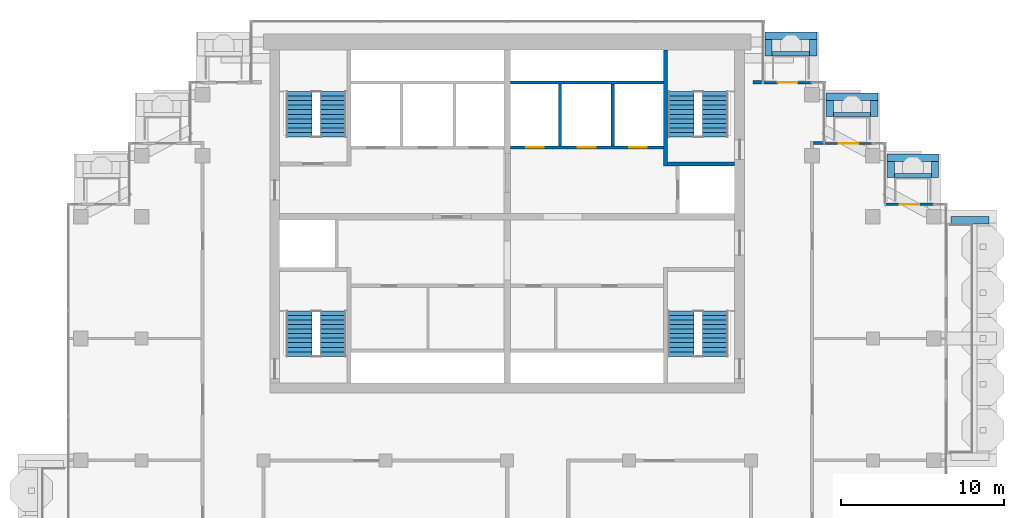
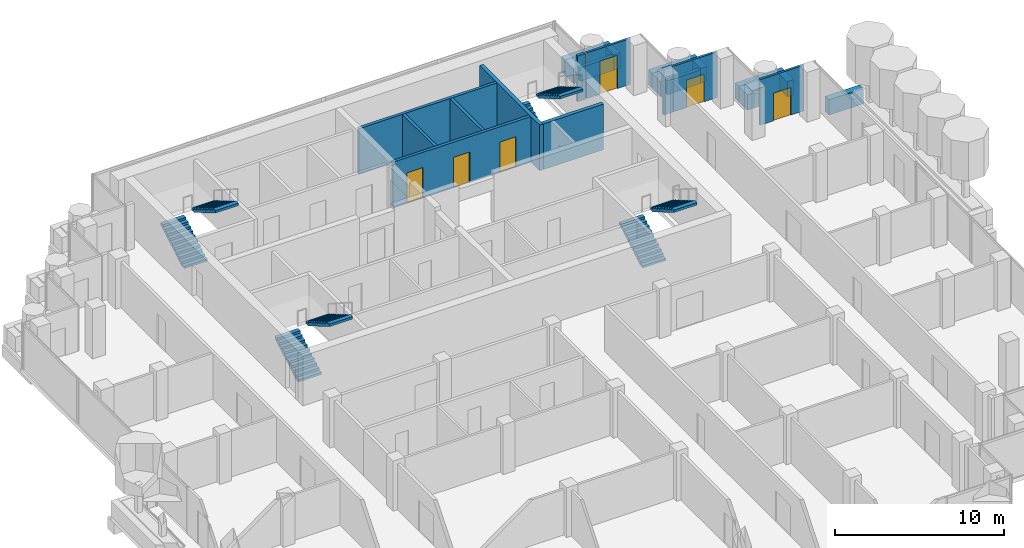
# One storey, part 14 of 18: 24 walls, 8 stair flights, 6 doors, 6 openings, 4 elements without a shape of their own.
"""IFC4 building model written with IfcOpenShell, lengths in metres."""

from ifc_helpers import new_model, si_unit, direction, frame, frame_2d, origin, place, context, subcontext, project, spatial, polyline, rectangle, outline, extrude, material, layer, layer_set, type_object, element, fill, aggregate, save


model = new_model("IFC4")

# Units and contexts
model_context = context("Model", 3, precision=1e-05, world=origin(), true_north=direction((0.0, 1.0)))
body_context = subcontext(model_context, "Body", "Model", "MODEL_VIEW")
ifc_project = project(units=[si_unit("LENGTHUNIT", "METRE"), si_unit("AREAUNIT", "SQUARE_METRE"), si_unit("VOLUMEUNIT", "CUBIC_METRE"), si_unit("PLANEANGLEUNIT", "RADIAN"), si_unit("MASSUNIT", "GRAM", prefix="KILO")], contexts=[model_context])

# Site, building, storey
site_placement = place(None, origin())
site = spatial("IfcSite", under=ifc_project, at=site_placement, CompositionType="ELEMENT")
building_placement = place(site_placement, origin())
building = spatial("IfcBuilding", under=site, at=building_placement, Name="Pilkhan Gate Tower", CompositionType="ELEMENT")
storey_placement = place(building_placement, frame((0.0, 0.0, 231.89990234375)))
storey = spatial("IfcBuildingStorey", under=building, at=storey_placement, Name="L60", CompositionType="ELEMENT", Elevation=231.89990234375)

# Walls
ifc_material_1 = material(Name="Concrete C40/50", Category="concrete")
ifc_layer_1 = layer(ifc_material_1, 0.25)
ifc_layer_set_1 = layer_set([ifc_layer_1], Name="Balcony planter BP250")
wall_type_1 = type_object("IfcWallType", Name="Balcony planter BP250", PredefinedType="USERDEFINED", material=ifc_layer_set_1)
wall_1_placement = place(storey_placement, frame((91.300048828125, 92.52490234375, 0.0), z_axis=(0.0, 0.0, 1.0), x_axis=(1.0, 0.0, 0.0)))
element("IfcWall", 1, at=wall_1_placement, inside=storey, type_object=wall_type_1, Name="Balcony planter L60 N", ObjectType="BALCONY PLANTER", PredefinedType="USERDEFINED", context=body_context, shape_type="SweptSolid", body=[
    extrude(rectangle(XDim=2.300048828125, YDim=0.25, at=frame_2d((1.14990234375, 0.0))), origin(), (0.0, 0.0, 1.0), 1.0),
])
for number, where, z_axis, x_axis, name in (
    (2, (95.070068359375, 88.77490234375, 0.0), (0.0, 0.0, 1.0), (1.0, 0.0, 0.0), "Balcony planter L60 N"),
    (3, (98.820068359375, 85.02490234375, 0.0), (0.0, 0.0, 1.0), (1.0, 0.0, 0.0), "Balcony planter L60 N"),
):
    element("IfcWall", number, at=place(storey_placement, frame(where, z_axis=z_axis, x_axis=x_axis)), inside=storey, type_object=wall_type_1, Name=name, ObjectType="BALCONY PLANTER", PredefinedType="USERDEFINED", context=body_context, shape_type="SweptSolid", body=[
        extrude(rectangle(XDim=2.280029296875, YDim=0.25, at=frame_2d((1.14013671875, 0.0))), origin(), (0.0, 0.0, 1.0), 1.0),
    ])
ifc_material_2 = material(Name="Board-marked Concrete C40/50", Category="concrete")
ifc_layer_2 = layer(ifc_material_2, 0.449951171875)
ifc_layer_set_2 = layer_set([ifc_layer_2], Name="Balcony planter lip BL450")
wall_type_2 = type_object("IfcWallType", Name="Balcony planter lip BL450", PredefinedType="USERDEFINED", material=ifc_layer_set_2)
wall_2_placement = place(storey_placement, frame((102.300048828125, 82.27490234375, 0.0), z_axis=(0.0, 0.0, 1.0), x_axis=(1.0, 0.0, 0.0)))
element("IfcWall", 4, at=wall_2_placement, inside=storey, type_object=wall_type_2, Name="Balcony planter L60 E", ObjectType="BALCONY PLANTER", PredefinedType="USERDEFINED", context=body_context, shape_type="SweptSolid", body=[
    extrude(rectangle(XDim=2.349853515625, YDim=0.449951171875, at=frame_2d((1.1748046875, 0.0))), origin(), (0.0, 0.0, 1.0), 1.10009765625),
])
wall_3_placement = place(storey_placement, frame((90.85009765625, 93.625, 0.0), z_axis=(0.0, 0.0, 1.0), x_axis=(1.0, 0.0, 0.0)))
element("IfcWall", 5, at=wall_3_placement, inside=storey, type_object=wall_type_2, Name="Balcony planter L60 N", ObjectType="BALCONY PLANTER", PredefinedType="USERDEFINED", context=body_context, shape_type="SweptSolid", body=[
    extrude(rectangle(XDim=3.199951171875, YDim=0.449951171875, at=frame_2d((1.60009765625, 0.0))), origin(), (0.0, 0.0, 1.0), 1.10009765625),
])
for number, where, z_axis, x_axis, name in (
    (6, (91.074951171875, 92.39990234375, 0.0), (0.0, 0.0, 1.0), (0.0, 1.0, 0.0), "Balcony planter L60 N"),
    (7, (93.824951171875, 92.39990234375, 0.0), (0.0, 0.0, 1.0), (0.0, 1.0, 0.0), "Balcony planter L60 N"),
):
    element("IfcWall", number, at=place(storey_placement, frame(where, z_axis=z_axis, x_axis=x_axis)), inside=storey, type_object=wall_type_2, Name=name, ObjectType="BALCONY PLANTER", PredefinedType="USERDEFINED", context=body_context, shape_type="SweptSolid", body=[
        extrude(rectangle(XDim=1.0, YDim=0.449951171875, at=frame_2d((0.5, 0.0))), origin(), (0.0, 0.0, 1.0), 1.10009765625),
    ])
wall_4_placement = place(storey_placement, frame((94.6201171875, 89.875, 0.0), z_axis=(0.0, 0.0, 1.0), x_axis=(1.0, 0.0, 0.0)))
element("IfcWall", 8, at=wall_4_placement, inside=storey, type_object=wall_type_2, Name="Balcony planter L60 N", ObjectType="BALCONY PLANTER", PredefinedType="USERDEFINED", context=body_context, shape_type="SweptSolid", body=[
    extrude(rectangle(XDim=3.179931640625, YDim=0.449951171875, at=frame_2d((1.58984375, 0.0))), origin(), (0.0, 0.0, 1.0), 1.10009765625),
])
for number, where, z_axis, x_axis, name in (
    (9, (94.844970703125, 88.64990234375, 0.0), (0.0, 0.0, 1.0), (0.0, 1.0, 0.0), "Balcony planter L60 N"),
    (10, (97.574951171875, 88.64990234375, 0.0), (0.0, 0.0, 1.0), (0.0, 1.0, 0.0), "Balcony planter L60 N"),
):
    element("IfcWall", number, at=place(storey_placement, frame(where, z_axis=z_axis, x_axis=x_axis)), inside=storey, type_object=wall_type_2, Name=name, ObjectType="BALCONY PLANTER", PredefinedType="USERDEFINED", context=body_context, shape_type="SweptSolid", body=[
        extrude(rectangle(XDim=1.0, YDim=0.449951171875, at=frame_2d((0.5, 0.0))), origin(), (0.0, 0.0, 1.0), 1.10009765625),
    ])
wall_5_placement = place(storey_placement, frame((98.3701171875, 86.125, 0.0), z_axis=(0.0, 0.0, 1.0), x_axis=(1.0, 0.0, 0.0)))
element("IfcWall", 11, at=wall_5_placement, inside=storey, type_object=wall_type_2, Name="Balcony planter L60 N", ObjectType="BALCONY PLANTER", PredefinedType="USERDEFINED", context=body_context, shape_type="SweptSolid", body=[
    extrude(rectangle(XDim=3.179931640625, YDim=0.449951171875, at=frame_2d((1.58984375, 0.0))), origin(), (0.0, 0.0, 1.0), 1.10009765625),
])
for number, where, z_axis, x_axis, name in (
    (12, (98.594970703125, 84.89990234375, 0.0), (0.0, 0.0, 1.0), (0.0, 1.0, 0.0), "Balcony planter L60 N"),
    (13, (101.324951171875, 84.89990234375, 0.0), (0.0, 0.0, 1.0), (0.0, 1.0, 0.0), "Balcony planter L60 N"),
):
    element("IfcWall", number, at=place(storey_placement, frame(where, z_axis=z_axis, x_axis=x_axis)), inside=storey, type_object=wall_type_2, Name=name, ObjectType="BALCONY PLANTER", PredefinedType="USERDEFINED", context=body_context, shape_type="SweptSolid", body=[
        extrude(rectangle(XDim=1.0, YDim=0.449951171875, at=frame_2d((0.5, 0.0))), origin(), (0.0, 0.0, 1.0), 1.10009765625),
    ])
ifc_material_3 = material(Name="Dense blockwork", Category="masonry")
ifc_layer_3 = layer(ifc_material_3, 0.199951171875)
ifc_layer_set_3 = layer_set([ifc_layer_3], Name="Corridor wall FW200")
wall_type_3 = type_object("IfcWallType", Name="Corridor wall FW200", PredefinedType="PARTITIONING", material=ifc_layer_set_3)
wall_6_placement = place(storey_placement, frame((93.85009765625, 87.030029296875, 0.0), z_axis=(0.0, 0.0, 1.0), x_axis=(1.0, 0.0, 0.0)))
element("IfcWall", 14, at=wall_6_placement, inside=storey, type_object=wall_type_3, Name="Partition L60", PredefinedType="PARTITIONING", context=body_context, shape_type="SweptSolid", body=[
    extrude(rectangle(XDim=0.639892578125, YDim=0.199951171875, at=frame_2d((0.31982421875, 0.0))), origin(), (0.0, 0.0, 1.0), 3.300048828125),
])
wall_7_placement = place(storey_placement, frame((90.1201171875, 90.764892578125, 0.0), z_axis=(0.0, 0.0, 1.0), x_axis=(1.0, 0.0, 0.0)))
element("IfcWall", 15, at=wall_7_placement, inside=storey, type_object=wall_type_3, Name="Partition L60", PredefinedType="PARTITIONING", context=body_context, shape_type="SweptSolid", body=[
    extrude(rectangle(XDim=0.52490234375, YDim=0.199951171875, at=frame_2d((0.262451171875, 0.0))), origin(), (0.0, 0.0, 1.0), 3.300048828125),
])

# Wall, opening, door
ifc_material_4 = material(Name="Pale anodised aluminium, clear laminated glazing", Category="aluminium")
ifc_layer_4 = layer(ifc_material_4, 0.14990234375)
ifc_layer_set_4 = layer_set([ifc_layer_4], Name="Facade infill wall IW150")
wall_type_4 = type_object("IfcWallType", Name="Facade infill wall IW150", PredefinedType="SOLIDWALL", material=ifc_layer_set_4)
wall_8_placement = place(storey_placement, frame((98.25, 83.25, 0.0), z_axis=(0.0, 0.0, 1.0), x_axis=(1.0, 0.0, 0.0)))
wall_8 = element("IfcWall", 16, at=wall_8_placement, inside=storey, type_object=wall_type_4, Name="Infill wall L60 N", PredefinedType="SOLIDWALL", context=body_context, shape_type="SweptSolid", body=[
    extrude(rectangle(XDim=3.0, YDim=0.14990234375, at=frame_2d((1.5, 0.0))), origin(), (0.0, 0.0, 1.0), 3.300048828125),
])
opening_1_placement = place(wall_8_placement, frame((0.89990234375, 0.0, 0.0)))
opening_1 = element("IfcOpeningElement", 17, at=opening_1_placement, cuts=wall_8, Name="Opening D1L", PredefinedType="OPENING", context=body_context, shape_type="SweptSolid", body=[
    extrude(rectangle(XDim=1.199951171875, YDim=2.0, at=frame_2d((0.60009765625, 1.0))), frame((0.0, 0.0849609375, 0.0), z_axis=(0.0, -1.0, 0.0), x_axis=(1.0, 0.0, 0.0)), (0.0, 0.0, 1.0), 0.169921875),
])
ifc_material_5 = material(Name="Pale anodised aluminium, clear glazing", Category="aluminium")
door_type_1 = type_object("IfcDoorType", Name="Balcony door D1L 1200x2000", OperationType="SINGLE_SWING_LEFT", PredefinedType="DOOR", material=ifc_material_5)
door_1_placement = place(opening_1_placement, origin())
door_1 = element("IfcDoor", 18, at=door_1_placement, inside=storey, type_object=door_type_1, Name="Balcony door L60", OperationType="SINGLE_SWING_LEFT", OverallHeight=2.0, OverallWidth=1.199951171875, PredefinedType="DOOR", context=body_context, shape_type="SweptSolid", body=[
    extrude(rectangle(XDim=1.199951171875, YDim=2.0, at=frame_2d((0.60009765625, 1.0))), frame((0.0, 0.02490234375, 0.0), z_axis=(0.0, -1.0, 0.0), x_axis=(1.0, 0.0, 0.0)), (0.0, 0.0, 1.0), 0.050048828125),
])
fill(opening_1, door_1)

wall_9_placement = place(storey_placement, frame((94.5, 87.0, 0.0), z_axis=(0.0, 0.0, 1.0), x_axis=(1.0, 0.0, 0.0)))
wall_9 = element("IfcWall", 19, at=wall_9_placement, inside=storey, type_object=wall_type_4, Name="Infill wall L60 N", PredefinedType="SOLIDWALL", context=body_context, shape_type="SweptSolid", body=[
    extrude(rectangle(XDim=3.0, YDim=0.14990234375, at=frame_2d((1.5, 0.0))), origin(), (0.0, 0.0, 1.0), 3.300048828125),
])
opening_2_placement = place(wall_9_placement, frame((0.89990234375, 0.0, 0.0)))
opening_2 = element("IfcOpeningElement", 20, at=opening_2_placement, cuts=wall_9, Name="Opening D1L", PredefinedType="OPENING", context=body_context, shape_type="SweptSolid", body=[
    extrude(rectangle(XDim=1.199951171875, YDim=2.0, at=frame_2d((0.60009765625, 1.0))), frame((0.0, 0.0849609375, 0.0), z_axis=(0.0, -1.0, 0.0), x_axis=(1.0, 0.0, 0.0)), (0.0, 0.0, 1.0), 0.169921875),
])
door_2_placement = place(opening_2_placement, origin())
door_2 = element("IfcDoor", 21, at=door_2_placement, inside=storey, type_object=door_type_1, Name="Balcony door L60", OperationType="SINGLE_SWING_LEFT", OverallHeight=2.0, OverallWidth=1.199951171875, PredefinedType="DOOR", context=body_context, shape_type="SweptSolid", body=[
    extrude(rectangle(XDim=1.199951171875, YDim=2.0, at=frame_2d((0.60009765625, 1.0))), frame((0.0, 0.02490234375, 0.0), z_axis=(0.0, -1.0, 0.0), x_axis=(1.0, 0.0, 0.0)), (0.0, 0.0, 1.0), 0.050048828125),
])
fill(opening_2, door_2)

wall_10_placement = place(storey_placement, frame((90.75, 90.75, 0.0), z_axis=(0.0, 0.0, 1.0), x_axis=(1.0, 0.0, 0.0)))
wall_10 = element("IfcWall", 22, at=wall_10_placement, inside=storey, type_object=wall_type_4, Name="Infill wall L60 N", PredefinedType="SOLIDWALL", context=body_context, shape_type="SweptSolid", body=[
    extrude(rectangle(XDim=3.0, YDim=0.14990234375, at=frame_2d((1.5, 0.0))), origin(), (0.0, 0.0, 1.0), 3.300048828125),
])
opening_3_placement = place(wall_10_placement, frame((0.89990234375, 0.0, 0.0)))
opening_3 = element("IfcOpeningElement", 23, at=opening_3_placement, cuts=wall_10, Name="Opening D1", PredefinedType="OPENING", context=body_context, shape_type="SweptSolid", body=[
    extrude(rectangle(XDim=1.199951171875, YDim=2.39990234375, at=frame_2d((0.60009765625, 1.199951171875))), frame((0.0, 0.0849609375, 0.0), z_axis=(0.0, -1.0, 0.0), x_axis=(1.0, 0.0, 0.0)), (0.0, 0.0, 1.0), 0.169921875),
])
door_type_2 = type_object("IfcDoorType", Name="Balcony door D1 1200x2400", OperationType="SINGLE_SWING_LEFT", PredefinedType="DOOR", material=ifc_material_5)
door_3_placement = place(opening_3_placement, origin())
door_3 = element("IfcDoor", 24, at=door_3_placement, inside=storey, type_object=door_type_2, Name="Balcony door L60", OperationType="SINGLE_SWING_LEFT", OverallHeight=2.39990234375, OverallWidth=1.199951171875, PredefinedType="DOOR", context=body_context, shape_type="SweptSolid", body=[
    extrude(rectangle(XDim=1.199951171875, YDim=2.39990234375, at=frame_2d((0.60009765625, 1.199951171875))), frame((0.0, 0.02490234375, 0.0), z_axis=(0.0, -1.0, 0.0), x_axis=(1.0, 0.0, 0.0)), (0.0, 0.0, 1.0), 0.050048828125),
])
fill(opening_3, door_3)

# Wall, openings, doors
ifc_material_6 = material(Name="Reinforced blockwork shaft wall, 120 minute fire resisting", Category="masonry")
ifc_layer_5 = layer(ifc_material_6, 0.199951171875)
ifc_layer_set_5 = layer_set([ifc_layer_5], Name="Shaft wall SW200")
wall_type_5 = type_object("IfcWallType", Name="Shaft wall SW200", PredefinedType="PARTITIONING", material=ifc_layer_set_5)
wall_11_placement = place(storey_placement, frame((75.2099609375, 86.75, 0.0), z_axis=(0.0, 0.0, 1.0), x_axis=(1.0, 0.0, 0.0)))
wall_11 = element("IfcWall", 25, at=wall_11_placement, inside=storey, type_object=wall_type_5, Name="Partition L60", PredefinedType="PARTITIONING", context=body_context, shape_type="SweptSolid", body=[
    extrude(rectangle(XDim=9.4150390625, YDim=0.199951171875, at=frame_2d((4.70751953125, 0.0))), origin(), (0.0, 0.0, 1.0), 3.300048828125),
])
opening_4_placement = place(wall_11_placement, frame((0.949951171875, 0.0, 0.0)))
opening_4 = element("IfcOpeningElement", 26, at=opening_4_placement, cuts=wall_11, Name="Opening LD", PredefinedType="OPENING", context=body_context, shape_type="SweptSolid", body=[
    extrude(rectangle(XDim=1.10009765625, YDim=2.199951171875, at=frame_2d((0.550048828125, 1.10009765625))), frame((0.0, 0.10986328125, 0.0), z_axis=(0.0, -1.0, 0.0), x_axis=(1.0, 0.0, 0.0)), (0.0, 0.0, 1.0), 0.219970703125),
])
opening_5_placement = place(wall_11_placement, frame((4.139892578125, 0.0, 0.0)))
opening_5 = element("IfcOpeningElement", 27, at=opening_5_placement, cuts=wall_11, Name="Opening LD", PredefinedType="OPENING", context=body_context, shape_type="SweptSolid", body=[
    extrude(rectangle(XDim=1.10009765625, YDim=2.199951171875, at=frame_2d((0.550048828125, 1.10009765625))), frame((0.0, 0.10986328125, 0.0), z_axis=(0.0, -1.0, 0.0), x_axis=(1.0, 0.0, 0.0)), (0.0, 0.0, 1.0), 0.219970703125),
])
opening_6_placement = place(wall_11_placement, frame((7.2900390625, 0.0, 0.0)))
opening_6 = element("IfcOpeningElement", 28, at=opening_6_placement, cuts=wall_11, Name="Opening LD", PredefinedType="OPENING", context=body_context, shape_type="SweptSolid", body=[
    extrude(rectangle(XDim=1.10009765625, YDim=2.199951171875, at=frame_2d((0.550048828125, 1.10009765625))), frame((0.0, 0.10986328125, 0.0), z_axis=(0.0, -1.0, 0.0), x_axis=(1.0, 0.0, 0.0)), (0.0, 0.0, 1.0), 0.219970703125),
])
ifc_material_7 = material(Name="Stainless steel centre-opening landing door, 120 minute fire resisting", Category="steel")
door_type_3 = type_object("IfcDoorType", Name="Lift landing door LD 1100x2200", OperationType="DOUBLE_DOOR_SLIDING", PredefinedType="DOOR", material=ifc_material_7)
door_4_placement = place(opening_4_placement, origin())
door_4 = element("IfcDoor", 29, at=door_4_placement, inside=storey, type_object=door_type_3, Name="Landing door HR1", OperationType="DOUBLE_DOOR_SLIDING", OverallHeight=2.199951171875, OverallWidth=1.10009765625, PredefinedType="DOOR", context=body_context, shape_type="SweptSolid", body=[
    extrude(rectangle(XDim=1.10009765625, YDim=2.199951171875, at=frame_2d((0.550048828125, 1.10009765625))), frame((0.0, 0.02490234375, 0.0), z_axis=(0.0, -1.0, 0.0), x_axis=(1.0, 0.0, 0.0)), (0.0, 0.0, 1.0), 0.050048828125),
])
fill(opening_4, door_4)
door_5_placement = place(opening_5_placement, origin())
door_5 = element("IfcDoor", 30, at=door_5_placement, inside=storey, type_object=door_type_3, Name="Landing door HR2", OperationType="DOUBLE_DOOR_SLIDING", OverallHeight=2.199951171875, OverallWidth=1.10009765625, PredefinedType="DOOR", context=body_context, shape_type="SweptSolid", body=[
    extrude(rectangle(XDim=1.10009765625, YDim=2.199951171875, at=frame_2d((0.550048828125, 1.10009765625))), frame((0.0, 0.02490234375, 0.0), z_axis=(0.0, -1.0, 0.0), x_axis=(1.0, 0.0, 0.0)), (0.0, 0.0, 1.0), 0.050048828125),
])
fill(opening_5, door_5)
door_6_placement = place(opening_6_placement, origin())
door_6 = element("IfcDoor", 31, at=door_6_placement, inside=storey, type_object=door_type_3, Name="Landing door HR3", OperationType="DOUBLE_DOOR_SLIDING", OverallHeight=2.199951171875, OverallWidth=1.10009765625, PredefinedType="DOOR", context=body_context, shape_type="SweptSolid", body=[
    extrude(rectangle(XDim=1.10009765625, YDim=2.199951171875, at=frame_2d((0.550048828125, 1.10009765625))), frame((0.0, 0.02490234375, 0.0), z_axis=(0.0, -1.0, 0.0), x_axis=(1.0, 0.0, 0.0)), (0.0, 0.0, 1.0), 0.050048828125),
])
fill(opening_6, door_6)

# Walls
wall_12_placement = place(storey_placement, frame((75.2099609375, 90.75, 0.0), z_axis=(0.0, 0.0, 1.0), x_axis=(1.0, 0.0, 0.0)))
element("IfcWall", 32, at=wall_12_placement, inside=storey, type_object=wall_type_5, Name="Partition L60", PredefinedType="PARTITIONING", context=body_context, shape_type="SweptSolid", body=[
    extrude(rectangle(XDim=9.4150390625, YDim=0.199951171875, at=frame_2d((4.70751953125, 0.0))), origin(), (0.0, 0.0, 1.0), 3.300048828125),
])
for number, where, z_axis, x_axis, name in (
    (33, (78.25, 86.85009765625, 0.0), (0.0, 0.0, 1.0), (0.0, 1.0, 0.0), "Partition L60"),
    (34, (81.5, 86.85009765625, 0.0), (0.0, 0.0, 1.0), (0.0, 1.0, 0.0), "Partition L60"),
):
    element("IfcWall", number, at=place(storey_placement, frame(where, z_axis=z_axis, x_axis=x_axis)), inside=storey, type_object=wall_type_5, Name=name, PredefinedType="PARTITIONING", context=body_context, shape_type="SweptSolid", body=[
        extrude(rectangle(XDim=3.7998046875, YDim=0.199951171875, at=frame_2d((1.89990234375, 0.0))), origin(), (0.0, 0.0, 1.0), 3.300048828125),
    ])
ifc_material_8 = material(Name="Reinforced blockwork, 120 minute fire resisting", Category="masonry")
ifc_layer_6 = layer(ifc_material_8, 0.25)
ifc_layer_set_6 = layer_set([ifc_layer_6], Name="Stair enclosure wall SE250")
wall_type_6 = type_object("IfcWallType", Name="Stair enclosure wall SE250", PredefinedType="PARTITIONING", material=ifc_layer_set_6)
wall_13_placement = place(storey_placement, frame((84.875, 85.75, 0.0), z_axis=(0.0, 0.0, 1.0), x_axis=(1.0, 0.0, 0.0)))
element("IfcWall", 35, at=wall_13_placement, inside=storey, type_object=wall_type_6, Name="Partition L60", PredefinedType="PARTITIONING", context=body_context, shape_type="SweptSolid", body=[
    extrude(rectangle(XDim=4.114990234375, YDim=0.25, at=frame_2d((2.0576171875, 0.0))), origin(), (0.0, 0.0, 1.0), 3.300048828125),
])
wall_14_placement = place(storey_placement, frame((84.75, 85.625, 0.0), z_axis=(0.0, 0.0, 1.0), x_axis=(0.0, 1.0, 0.0)))
element("IfcWall", 36, at=wall_14_placement, inside=storey, type_object=wall_type_6, Name="Partition L60", PredefinedType="PARTITIONING", context=body_context, shape_type="SweptSolid", body=[
    extrude(rectangle(XDim=7.114990234375, YDim=0.25, at=frame_2d((3.5576171875, 0.0))), origin(), (0.0, 0.0, 1.0), 3.300048828125),
])

# Stair, stair flights
ifc_material_9 = material(Name="Concrete C40/50 precast", Category="concrete")
stair_type_1 = type_object("IfcStairType", Name="Stair ST1 164x280", PredefinedType="HALF_TURN_STAIR", material=ifc_material_9)
stair_1_placement = place(storey_placement, origin())
stair_1 = element("IfcStair", 37, at=stair_1_placement, inside=storey, type_object=stair_type_1, Name="Stair ST1 L60", PredefinedType="HALF_TURN_STAIR")
stair_flight_type_1 = type_object("IfcStairFlightType", Name="Stair flight ST1 164x280x11", PredefinedType="STRAIGHT", material=ifc_material_9)
stair_flight_1_placement = place(storey_placement, frame((85.68994140625, 73.89990234375, 0.0), z_axis=(0.0, 0.0, 1.0), x_axis=(0.0, 1.0, 0.0)))
stair_flight_1 = element("IfcStairFlight", 38, at=stair_flight_1_placement, type_object=stair_flight_type_1, Name="ST1 flight 1", NumberOfRisers=11, NumberOfTreads=10, PredefinedType="STRAIGHT", RiserHeight=0.163636364, TreadLength=0.28, context=body_context, shape_type="SweptSolid", body=[
    extrude(outline(polyline([(0.0, 0.0), (0.0, 0.16357421875), (0.280029296875, 0.16357421875), (0.280029296875, 0.327392578125), (0.56005859375, 0.327392578125), (0.56005859375, 0.490966796875), (0.840087890625, 0.490966796875), (0.840087890625, 0.654541015625), (1.1201171875, 0.654541015625), (1.1201171875, 0.818115234375), (1.39990234375, 0.818115234375), (1.39990234375, 0.98193359375), (1.679931640625, 0.98193359375), (1.679931640625, 1.1455078125), (1.9599609375, 1.1455078125), (1.9599609375, 1.30908203125), (2.239990234375, 1.30908203125), (2.239990234375, 1.47265625), (2.52001953125, 1.47265625), (2.52001953125, 1.636474609375), (2.800048828125, 1.636474609375), (2.800048828125, 1.800048828125), (2.800048828125, 1.462646484375), (0.297119140625, 0.0), (0.0, 0.0)])), frame((0.0, 0.7900390625, 0.0), z_axis=(0.0, -1.0, 0.0), x_axis=(1.0, 0.0, 0.0)), (0.0, 0.0, 1.0), 1.580078125),
])
stair_flight_2_placement = place(storey_placement, frame((87.81005859375, 76.699951171875, 1.800048828125), z_axis=(0.0, 0.0, 1.0), x_axis=(0.0, -1.0, 0.0)))
stair_flight_2 = element("IfcStairFlight", 39, at=stair_flight_2_placement, type_object=stair_flight_type_1, Name="ST1 flight 2", NumberOfRisers=11, NumberOfTreads=10, PredefinedType="STRAIGHT", RiserHeight=0.163636364, TreadLength=0.28, context=body_context, shape_type="SweptSolid", body=[
    extrude(outline(polyline([(0.0, 0.0), (0.0, 0.16357421875), (0.280029296875, 0.16357421875), (0.280029296875, 0.327392578125), (0.56005859375, 0.327392578125), (0.56005859375, 0.490966796875), (0.840087890625, 0.490966796875), (0.840087890625, 0.654541015625), (1.1201171875, 0.654541015625), (1.1201171875, 0.818115234375), (1.39990234375, 0.818115234375), (1.39990234375, 0.98193359375), (1.679931640625, 0.98193359375), (1.679931640625, 1.1455078125), (1.9599609375, 1.1455078125), (1.9599609375, 1.30908203125), (2.239990234375, 1.30908203125), (2.239990234375, 1.47265625), (2.52001953125, 1.47265625), (2.52001953125, 1.636474609375), (2.800048828125, 1.636474609375), (2.800048828125, 1.800048828125), (2.800048828125, 1.462646484375), (0.297119140625, 0.0), (0.0, 0.0)])), frame((0.0, 0.7900390625, 0.0), z_axis=(0.0, -1.0, 0.0), x_axis=(1.0, 0.0, 0.0)), (0.0, 0.0, 1.0), 1.580078125),
])
aggregate(stair_1, [stair_flight_1, stair_flight_2])

stair_type_2 = type_object("IfcStairType", Name="Stair ST2 164x280", PredefinedType="HALF_TURN_STAIR", material=ifc_material_9)
stair_2_placement = place(storey_placement, origin())
stair_2 = element("IfcStair", 40, at=stair_2_placement, inside=storey, type_object=stair_type_2, Name="Stair ST2 L60", PredefinedType="HALF_TURN_STAIR")
stair_flight_type_2 = type_object("IfcStairFlightType", Name="Stair flight ST2 164x280x11", PredefinedType="STRAIGHT", material=ifc_material_9)
stair_flight_3_placement = place(storey_placement, frame((62.18994140625, 73.89990234375, 0.0), z_axis=(0.0, 0.0, 1.0), x_axis=(0.0, 1.0, 0.0)))
stair_flight_3 = element("IfcStairFlight", 41, at=stair_flight_3_placement, type_object=stair_flight_type_2, Name="ST2 flight 1", NumberOfRisers=11, NumberOfTreads=10, PredefinedType="STRAIGHT", RiserHeight=0.163636364, TreadLength=0.28, context=body_context, shape_type="SweptSolid", body=[
    extrude(outline(polyline([(0.0, 0.0), (0.0, 0.16357421875), (0.280029296875, 0.16357421875), (0.280029296875, 0.327392578125), (0.56005859375, 0.327392578125), (0.56005859375, 0.490966796875), (0.840087890625, 0.490966796875), (0.840087890625, 0.654541015625), (1.1201171875, 0.654541015625), (1.1201171875, 0.818115234375), (1.39990234375, 0.818115234375), (1.39990234375, 0.98193359375), (1.679931640625, 0.98193359375), (1.679931640625, 1.1455078125), (1.9599609375, 1.1455078125), (1.9599609375, 1.30908203125), (2.239990234375, 1.30908203125), (2.239990234375, 1.47265625), (2.52001953125, 1.47265625), (2.52001953125, 1.636474609375), (2.800048828125, 1.636474609375), (2.800048828125, 1.800048828125), (2.800048828125, 1.462646484375), (0.297119140625, 0.0), (0.0, 0.0)])), frame((0.0, 0.7900390625, 0.0), z_axis=(0.0, -1.0, 0.0), x_axis=(1.0, 0.0, 0.0)), (0.0, 0.0, 1.0), 1.580078125),
])
stair_flight_4_placement = place(storey_placement, frame((64.31005859375, 76.699951171875, 1.800048828125), z_axis=(0.0, 0.0, 1.0), x_axis=(0.0, -1.0, 0.0)))
stair_flight_4 = element("IfcStairFlight", 42, at=stair_flight_4_placement, type_object=stair_flight_type_2, Name="ST2 flight 2", NumberOfRisers=11, NumberOfTreads=10, PredefinedType="STRAIGHT", RiserHeight=0.163636364, TreadLength=0.28, context=body_context, shape_type="SweptSolid", body=[
    extrude(outline(polyline([(0.0, 0.0), (0.0, 0.16357421875), (0.280029296875, 0.16357421875), (0.280029296875, 0.327392578125), (0.56005859375, 0.327392578125), (0.56005859375, 0.490966796875), (0.840087890625, 0.490966796875), (0.840087890625, 0.654541015625), (1.1201171875, 0.654541015625), (1.1201171875, 0.818115234375), (1.39990234375, 0.818115234375), (1.39990234375, 0.98193359375), (1.679931640625, 0.98193359375), (1.679931640625, 1.1455078125), (1.9599609375, 1.1455078125), (1.9599609375, 1.30908203125), (2.239990234375, 1.30908203125), (2.239990234375, 1.47265625), (2.52001953125, 1.47265625), (2.52001953125, 1.636474609375), (2.800048828125, 1.636474609375), (2.800048828125, 1.800048828125), (2.800048828125, 1.462646484375), (0.297119140625, 0.0), (0.0, 0.0)])), frame((0.0, 0.7900390625, 0.0), z_axis=(0.0, -1.0, 0.0), x_axis=(1.0, 0.0, 0.0)), (0.0, 0.0, 1.0), 1.580078125),
])
aggregate(stair_2, [stair_flight_3, stair_flight_4])

stair_type_3 = type_object("IfcStairType", Name="Stair ST3 164x280", PredefinedType="HALF_TURN_STAIR", material=ifc_material_9)
stair_3_placement = place(storey_placement, origin())
stair_3 = element("IfcStair", 43, at=stair_3_placement, inside=storey, type_object=stair_type_3, Name="Stair ST3 L60", PredefinedType="HALF_TURN_STAIR")
stair_flight_type_3 = type_object("IfcStairFlightType", Name="Stair flight ST3 164x280x11", PredefinedType="STRAIGHT", material=ifc_material_9)
stair_flight_5_placement = place(storey_placement, frame((62.18994140625, 87.39990234375, 0.0), z_axis=(0.0, 0.0, 1.0), x_axis=(0.0, 1.0, 0.0)))
stair_flight_5 = element("IfcStairFlight", 44, at=stair_flight_5_placement, type_object=stair_flight_type_3, Name="ST3 flight 1", NumberOfRisers=11, NumberOfTreads=10, PredefinedType="STRAIGHT", RiserHeight=0.163636364, TreadLength=0.28, context=body_context, shape_type="SweptSolid", body=[
    extrude(outline(polyline([(0.0, 0.0), (0.0, 0.16357421875), (0.280029296875, 0.16357421875), (0.280029296875, 0.327392578125), (0.56005859375, 0.327392578125), (0.56005859375, 0.490966796875), (0.840087890625, 0.490966796875), (0.840087890625, 0.654541015625), (1.1201171875, 0.654541015625), (1.1201171875, 0.818115234375), (1.39990234375, 0.818115234375), (1.39990234375, 0.98193359375), (1.679931640625, 0.98193359375), (1.679931640625, 1.1455078125), (1.9599609375, 1.1455078125), (1.9599609375, 1.30908203125), (2.239990234375, 1.30908203125), (2.239990234375, 1.47265625), (2.52001953125, 1.47265625), (2.52001953125, 1.636474609375), (2.800048828125, 1.636474609375), (2.800048828125, 1.800048828125), (2.800048828125, 1.462646484375), (0.297119140625, 0.0), (0.0, 0.0)])), frame((0.0, 0.7900390625, 0.0), z_axis=(0.0, -1.0, 0.0), x_axis=(1.0, 0.0, 0.0)), (0.0, 0.0, 1.0), 1.580078125),
])
stair_flight_6_placement = place(storey_placement, frame((64.31005859375, 90.199951171875, 1.800048828125), z_axis=(0.0, 0.0, 1.0), x_axis=(0.0, -1.0, 0.0)))
stair_flight_6 = element("IfcStairFlight", 45, at=stair_flight_6_placement, type_object=stair_flight_type_3, Name="ST3 flight 2", NumberOfRisers=11, NumberOfTreads=10, PredefinedType="STRAIGHT", RiserHeight=0.163636364, TreadLength=0.28, context=body_context, shape_type="SweptSolid", body=[
    extrude(outline(polyline([(0.0, 0.0), (0.0, 0.16357421875), (0.280029296875, 0.16357421875), (0.280029296875, 0.327392578125), (0.56005859375, 0.327392578125), (0.56005859375, 0.490966796875), (0.840087890625, 0.490966796875), (0.840087890625, 0.654541015625), (1.1201171875, 0.654541015625), (1.1201171875, 0.818115234375), (1.39990234375, 0.818115234375), (1.39990234375, 0.98193359375), (1.679931640625, 0.98193359375), (1.679931640625, 1.1455078125), (1.9599609375, 1.1455078125), (1.9599609375, 1.30908203125), (2.239990234375, 1.30908203125), (2.239990234375, 1.47265625), (2.52001953125, 1.47265625), (2.52001953125, 1.636474609375), (2.800048828125, 1.636474609375), (2.800048828125, 1.800048828125), (2.800048828125, 1.462646484375), (0.297119140625, 0.0), (0.0, 0.0)])), frame((0.0, 0.7900390625, 0.0), z_axis=(0.0, -1.0, 0.0), x_axis=(1.0, 0.0, 0.0)), (0.0, 0.0, 1.0), 1.580078125),
])
aggregate(stair_3, [stair_flight_5, stair_flight_6])

stair_type_4 = type_object("IfcStairType", Name="Stair ST4 164x280", PredefinedType="HALF_TURN_STAIR", material=ifc_material_9)
stair_4_placement = place(storey_placement, origin())
stair_4 = element("IfcStair", 46, at=stair_4_placement, inside=storey, type_object=stair_type_4, Name="Stair ST4 L60", PredefinedType="HALF_TURN_STAIR")
stair_flight_type_4 = type_object("IfcStairFlightType", Name="Stair flight ST4 164x280x11", PredefinedType="STRAIGHT", material=ifc_material_9)
stair_flight_7_placement = place(storey_placement, frame((85.68994140625, 87.39990234375, 0.0), z_axis=(0.0, 0.0, 1.0), x_axis=(0.0, 1.0, 0.0)))
stair_flight_7 = element("IfcStairFlight", 47, at=stair_flight_7_placement, type_object=stair_flight_type_4, Name="ST4 flight 1", NumberOfRisers=11, NumberOfTreads=10, PredefinedType="STRAIGHT", RiserHeight=0.163636364, TreadLength=0.28, context=body_context, shape_type="SweptSolid", body=[
    extrude(outline(polyline([(0.0, 0.0), (0.0, 0.16357421875), (0.280029296875, 0.16357421875), (0.280029296875, 0.327392578125), (0.56005859375, 0.327392578125), (0.56005859375, 0.490966796875), (0.840087890625, 0.490966796875), (0.840087890625, 0.654541015625), (1.1201171875, 0.654541015625), (1.1201171875, 0.818115234375), (1.39990234375, 0.818115234375), (1.39990234375, 0.98193359375), (1.679931640625, 0.98193359375), (1.679931640625, 1.1455078125), (1.9599609375, 1.1455078125), (1.9599609375, 1.30908203125), (2.239990234375, 1.30908203125), (2.239990234375, 1.47265625), (2.52001953125, 1.47265625), (2.52001953125, 1.636474609375), (2.800048828125, 1.636474609375), (2.800048828125, 1.800048828125), (2.800048828125, 1.462646484375), (0.297119140625, 0.0), (0.0, 0.0)])), frame((0.0, 0.7900390625, 0.0), z_axis=(0.0, -1.0, 0.0), x_axis=(1.0, 0.0, 0.0)), (0.0, 0.0, 1.0), 1.580078125),
])
stair_flight_8_placement = place(storey_placement, frame((87.81005859375, 90.199951171875, 1.800048828125), z_axis=(0.0, 0.0, 1.0), x_axis=(0.0, -1.0, 0.0)))
stair_flight_8 = element("IfcStairFlight", 48, at=stair_flight_8_placement, type_object=stair_flight_type_4, Name="ST4 flight 2", NumberOfRisers=11, NumberOfTreads=10, PredefinedType="STRAIGHT", RiserHeight=0.163636364, TreadLength=0.28, context=body_context, shape_type="SweptSolid", body=[
    extrude(outline(polyline([(0.0, 0.0), (0.0, 0.16357421875), (0.280029296875, 0.16357421875), (0.280029296875, 0.327392578125), (0.56005859375, 0.327392578125), (0.56005859375, 0.490966796875), (0.840087890625, 0.490966796875), (0.840087890625, 0.654541015625), (1.1201171875, 0.654541015625), (1.1201171875, 0.818115234375), (1.39990234375, 0.818115234375), (1.39990234375, 0.98193359375), (1.679931640625, 0.98193359375), (1.679931640625, 1.1455078125), (1.9599609375, 1.1455078125), (1.9599609375, 1.30908203125), (2.239990234375, 1.30908203125), (2.239990234375, 1.47265625), (2.52001953125, 1.47265625), (2.52001953125, 1.636474609375), (2.800048828125, 1.636474609375), (2.800048828125, 1.800048828125), (2.800048828125, 1.462646484375), (0.297119140625, 0.0), (0.0, 0.0)])), frame((0.0, 0.7900390625, 0.0), z_axis=(0.0, -1.0, 0.0), x_axis=(1.0, 0.0, 0.0)), (0.0, 0.0, 1.0), 1.580078125),
])
aggregate(stair_4, [stair_flight_7, stair_flight_8])

save(model, "model.ifc")
